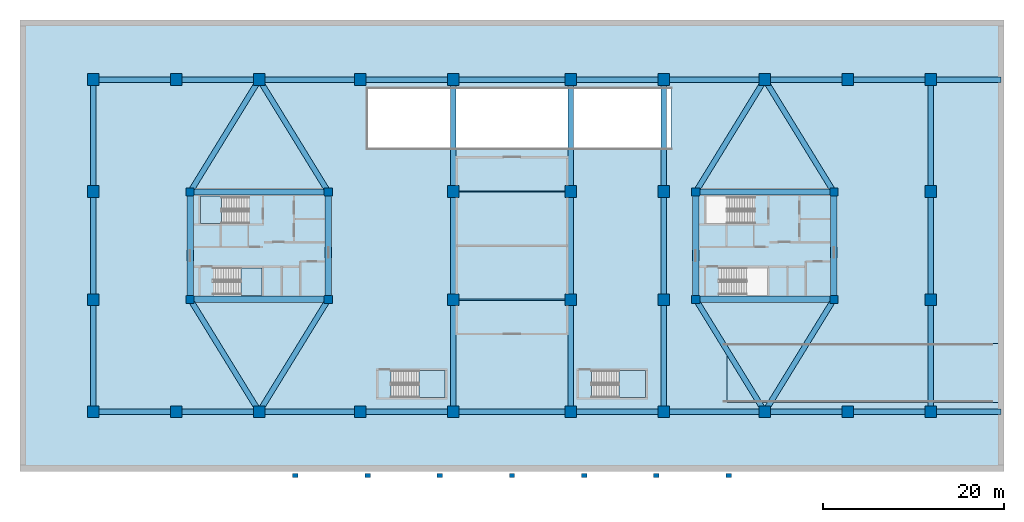
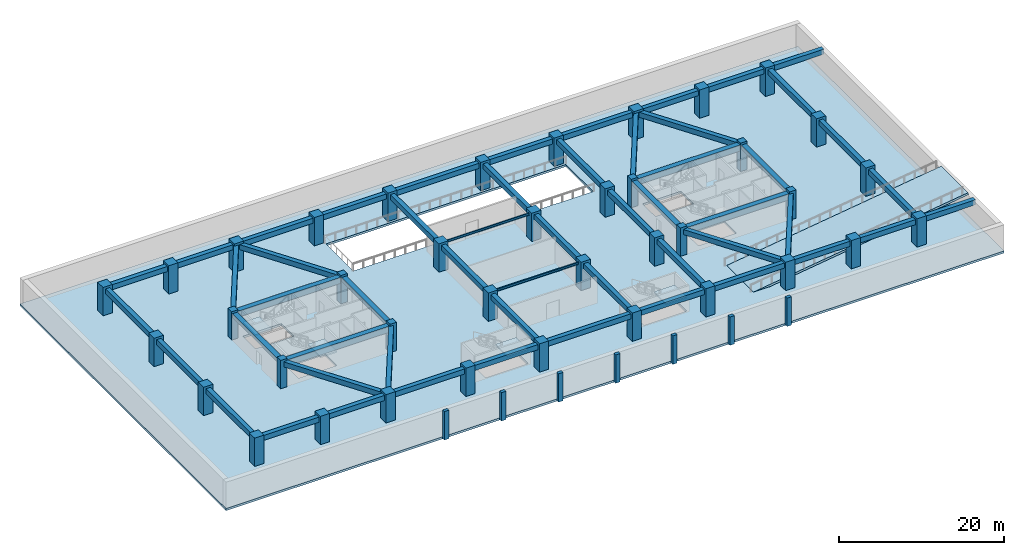
# One storey, part 1 of 14: 53 beams, 45 columns, 6 slabs, 4 elements without a shape of their own.
"""IFC4 building model written with IfcOpenShell, lengths in metres."""

import ifcopenshell
import ifcopenshell.guid

model = None  # the IFC model being written
_history = None  # IfcOwnerHistory: only IFC2X3 demands one
_inside = {}  # id of a spatial element -> (the spatial element, [elements in it])
_under = {}  # id of a project, library or spatial element -> (it, [spatial elements below it])
_declared = {}  # id of a project -> (the project, [libraries it declares])
_typed = {}  # id of a type object -> (the type object, [elements of that type])
_made_of = {}  # id of a material, layer set ... -> (it, [elements and type objects made of it])


def new_model(schema):
    """Start an empty IFC model of exactly this schema.

    Asked for "IFC4X3", IfcOpenShell would pick the latest addendum, in which some entities
    have other attributes; the version numbers below select the first issue.
    IFC2X3 requires an IfcOwnerHistory on every rooted entity: one is made here for all.
    """
    global model, _history
    if schema == "IFC4X3":
        model = ifcopenshell.file(schema_version=(4, 3, 0, 0))
    else:
        model = ifcopenshell.file(schema=schema)
    _inside.clear()
    _under.clear()
    _declared.clear()
    _typed.clear()
    _made_of.clear()
    _history = None
    if model.schema == "IFC2X3":
        org = make("IfcOrganization", Name="unknown")
        user = make(
            "IfcPersonAndOrganization",
            ThePerson=make("IfcPerson", FamilyName="unknown"),
            TheOrganization=org,
        )
        app = make(
            "IfcApplication",
            ApplicationDeveloper=org,
            Version="unknown",
            ApplicationFullName="unknown",
            ApplicationIdentifier="unknown",
        )
        _history = make(
            "IfcOwnerHistory",
            OwningUser=user,
            OwningApplication=app,
            ChangeAction="ADDED",
            CreationDate=0,
        )
    return model


def make(cls, **values):
    """One entity of the class cls with the attributes given. An attribute that is None is left unset."""
    return model.create_entity(
        cls, **{name: value for name, value in values.items() if value is not None}
    )


def rooted(cls, **values):
    """An entity with a GlobalId (a new one), such as an element, a storey or a relation."""
    return make(cls, GlobalId=ifcopenshell.guid.new(), OwnerHistory=_history, **values)


def si_unit(unit_type, name, prefix=None):
    """IfcSIUnit, for example si_unit("LENGTHUNIT", "METRE", prefix="MILLI")."""
    return make("IfcSIUnit", UnitType=unit_type, Prefix=prefix, Name=name)


def assignment(units):
    """IfcUnitAssignment: the units of a project."""
    return None if units is None else make("IfcUnitAssignment", Units=units)


def point(xyz):
    """IfcCartesianPoint."""
    return None if xyz is None else make("IfcCartesianPoint", Coordinates=xyz)


def direction(xyz):
    """IfcDirection."""
    return None if xyz is None else make("IfcDirection", DirectionRatios=xyz)


def frame(location, z_axis=None, x_axis=None):
    """IfcAxis2Placement3D, a coordinate frame: its origin and axes. An axis left out is left unset."""
    return make(
        "IfcAxis2Placement3D",
        Location=point(location),
        Axis=direction(z_axis),
        RefDirection=direction(x_axis),
    )


def frame_2d(location, x_axis=None):
    """IfcAxis2Placement2D, a coordinate frame in the plane: its origin and x axis."""
    return make(
        "IfcAxis2Placement2D", Location=point(location), RefDirection=direction(x_axis)
    )


def origin():
    """The frame at (0, 0, 0) with its axes left unset."""
    return frame((0.0, 0.0, 0.0))


def origin_2d():
    """The frame at (0, 0) in the plane with its x axis left unset."""
    return frame_2d((0.0, 0.0))


def place(relative_to, where):
    """IfcLocalPlacement: puts the frame where relative to a parent placement (None: the world)."""
    return make(
        "IfcLocalPlacement", PlacementRelTo=relative_to, RelativePlacement=where
    )


def context(
    kind, dimensions, precision=None, world=None, true_north=None, identifier=None
):
    """IfcGeometricRepresentationContext, for example the 3D "Model" context."""
    return make(
        "IfcGeometricRepresentationContext",
        ContextIdentifier=identifier,
        ContextType=kind,
        CoordinateSpaceDimension=dimensions,
        Precision=precision,
        WorldCoordinateSystem=world,
        TrueNorth=true_north,
    )


def subcontext(parent, identifier, kind, view, scale=None):
    """IfcGeometricRepresentationSubContext, for example "Body" below "Model"."""
    return make(
        "IfcGeometricRepresentationSubContext",
        ContextIdentifier=identifier,
        ContextType=kind,
        ParentContext=parent,
        TargetScale=scale,
        TargetView=view,
    )


def project(units=None, contexts=None):
    """IfcProject with its units and contexts."""
    return rooted(
        "IfcProject",
        Name="project",
        RepresentationContexts=contexts,
        UnitsInContext=assignment(units),
    )


def spatial(cls, under=None, at=None, **own):
    """A site, building, storey or space (cls), placed at a placement, below another one or the project."""
    s = rooted(cls, ObjectPlacement=at, **own)
    if under is not None:
        _under.setdefault(under.id(), (under, []))[1].append(s)
    return s


def polyline(points):
    """IfcPolyline through the points."""
    return make("IfcPolyline", Points=[point(p) for p in points])


def profile(cls, at=None, kind="AREA", **sizes):
    """A parametric profile (cls). Its sizes go by their IFC names, for example OverallWidth=200.0."""
    return make(cls, ProfileType=kind, Position=at, **sizes)


def rectangle(**sizes):
    """IfcRectangleProfileDef."""
    return profile("IfcRectangleProfileDef", **sizes)


def i_section(**sizes):
    """IfcIShapeProfileDef."""
    return profile("IfcIShapeProfileDef", **sizes)


def outline(outer, holes=None, kind="AREA"):
    """IfcArbitraryClosedProfileDef: a profile drawn as a closed curve; with holes, ...WithVoids."""
    if holes is None:
        return make("IfcArbitraryClosedProfileDef", ProfileType=kind, OuterCurve=outer)
    return make(
        "IfcArbitraryProfileDefWithVoids",
        ProfileType=kind,
        OuterCurve=outer,
        InnerCurves=holes,
    )


def extrude(swept, where, along, depth):
    """IfcExtrudedAreaSolid: the profile swept, set in the frame where, extruded along a direction by depth."""
    return make(
        "IfcExtrudedAreaSolid",
        SweptArea=swept,
        Position=where,
        ExtrudedDirection=direction(along),
        Depth=depth,
    )


def shape(context_of_items, identifier, shape_type, items):
    """IfcShapeRepresentation: the items that make up one representation, for example the "Body"."""
    return make(
        "IfcShapeRepresentation",
        ContextOfItems=context_of_items,
        RepresentationIdentifier=identifier,
        RepresentationType=shape_type,
        Items=items,
    )


def source(mapping_origin, context_of_items, identifier, shape_type, items):
    """IfcRepresentationMap: a shape defined once, which mapped items show again and again."""
    return make(
        "IfcRepresentationMap",
        MappingOrigin=mapping_origin,
        MappedRepresentation=shape(context_of_items, identifier, shape_type, items),
    )


def transform(
    local_origin,
    x_axis=None,
    y_axis=None,
    z_axis=None,
    scale=None,
    scale2=None,
    scale3=None,
    uniform=True,
):
    """IfcCartesianTransformationOperator3D, or its non-uniform kind. x_axis, y_axis, z_axis: its Axis1, 2, 3."""
    if uniform:
        return make(
            "IfcCartesianTransformationOperator3D",
            Axis1=direction(x_axis),
            Axis2=direction(y_axis),
            LocalOrigin=point(local_origin),
            Scale=scale,
            Axis3=direction(z_axis),
        )
    return make(
        "IfcCartesianTransformationOperator3DnonUniform",
        Axis1=direction(x_axis),
        Axis2=direction(y_axis),
        LocalOrigin=point(local_origin),
        Scale=scale,
        Axis3=direction(z_axis),
        Scale2=scale2,
        Scale3=scale3,
    )


def mapped(mapping_source, mapping_target):
    """IfcMappedItem: shows the shape of a source again, moved by a transform."""
    return make(
        "IfcMappedItem", MappingSource=mapping_source, MappingTarget=mapping_target
    )


def material(Name=None, Category=None):
    """IfcMaterial."""
    return make("IfcMaterial", Name=Name, Category=Category)


def layer(
    of_material, thickness, ventilated=None, Name=None, Category=None, Priority=None
):
    """IfcMaterialLayer: one layer of a wall or slab, of a material (None: an air gap)."""
    return make(
        "IfcMaterialLayer",
        Material=of_material,
        LayerThickness=thickness,
        IsVentilated=ventilated,
        Name=Name,
        Category=Category,
        Priority=Priority,
    )


def layer_set(layers, Name=None):
    """IfcMaterialLayerSet."""
    return make("IfcMaterialLayerSet", MaterialLayers=layers, LayerSetName=Name)


def material_profile(
    of_material, cross_section, Name=None, Category=None, Priority=None
):
    """IfcMaterialProfile: a cross section and its material."""
    return make(
        "IfcMaterialProfile",
        Name=Name,
        Material=of_material,
        Profile=cross_section,
        Priority=Priority,
        Category=Category,
    )


def profile_set(profiles, Name=None, composite=None):
    """IfcMaterialProfileSet."""
    return make(
        "IfcMaterialProfileSet",
        Name=Name,
        MaterialProfiles=profiles,
        CompositeProfile=composite,
    )


def made_of(thing, what):
    """Note that an element or type object is made of a material, layer set ...; save() writes the relation."""
    if what is not None:
        _made_of.setdefault(what.id(), (what, []))[1].append(thing)
    return thing


def type_object(cls, material=None, **own):
    """A type object (cls), such as IfcWallType, which elements share."""
    return made_of(rooted(cls, **own), material)


def type_shapes(of_type, sources):
    """Give a type object the sources (RepresentationMaps) that its elements show as mapped items."""
    of_type.RepresentationMaps = sources


def element(
    cls,
    number,
    at=None,
    inside=None,
    cuts=None,
    type_object=None,
    material=None,
    context=None,
    identifier="Body",
    shape_type=None,
    held_by="IfcProductDefinitionShape",
    body=None,
    shapes=None,
    **own,
):
    """One element of the class cls, such as IfcWall. Its Tag is "e" and its number.

    at: its placement. inside: the storey or other place that contains it. cuts: it is an
    opening in that element (IfcRelVoidsElement). A single representation is given by context,
    identifier, shape_type and body (its items); several are given by shapes. held_by: the class
    of the entity that holds the representations. save() writes the other relations.
    """
    e = rooted(cls, Tag="e%d" % number, ObjectPlacement=at, **own)
    if body is not None:
        shapes = [shape(context, identifier, shape_type, body)]
    if shapes is not None:
        e.Representation = make(held_by, Representations=shapes)
    if inside is not None:
        _inside.setdefault(inside.id(), (inside, []))[1].append(e)
    if cuts is not None:
        rooted(
            "IfcRelVoidsElement", RelatingBuildingElement=cuts, RelatedOpeningElement=e
        )
    if type_object is not None:
        _typed.setdefault(type_object.id(), (type_object, []))[1].append(e)
    return made_of(e, material)


def aggregate(whole, parts):
    """IfcRelAggregates: a whole, such as a stair, and the parts it consists of."""
    return rooted("IfcRelAggregates", RelatingObject=whole, RelatedObjects=parts)


def save(model, path):
    """Write the relations noted so far, then the file.

    IfcRelAggregates (storeys below a building ...), IfcRelContainedInSpatialStructure (elements
    in a storey), IfcRelDefinesByType, IfcRelAssociatesMaterial and IfcRelDeclares: one each for
    every whole, place, type object, material and project.
    """
    for whole, parts in _under.values():
        aggregate(whole, parts)
    for where, things in _inside.values():
        rooted(
            "IfcRelContainedInSpatialStructure",
            RelatedElements=things,
            RelatingStructure=where,
        )
    for kind, things in _typed.values():
        rooted("IfcRelDefinesByType", RelatedObjects=things, RelatingType=kind)
    for what, things in _made_of.values():
        rooted("IfcRelAssociatesMaterial", RelatedObjects=things, RelatingMaterial=what)
    for by, libraries in _declared.values():
        rooted("IfcRelDeclares", RelatingContext=by, RelatedDefinitions=libraries)
    model.write(path)


model = new_model("IFC4")

# Units and contexts
model_context = context("Model", 3, precision=1e-05, world=origin(), true_north=direction((0.0, 1.0)))
body_context = subcontext(model_context, "Body", "Model", "MODEL_VIEW")
ifc_project = project(units=[si_unit("LENGTHUNIT", "METRE"), si_unit("AREAUNIT", "SQUARE_METRE"), si_unit("VOLUMEUNIT", "CUBIC_METRE"), si_unit("PLANEANGLEUNIT", "RADIAN"), si_unit("MASSUNIT", "GRAM", prefix="KILO")], contexts=[model_context])

# Site, building, storey
site_placement = place(None, origin())
site = spatial("IfcSite", under=ifc_project, at=site_placement, CompositionType="ELEMENT")
building_placement = place(site_placement, origin())
building = spatial("IfcBuilding", under=site, at=building_placement, Name="Norrkilde Senior Care Towers", CompositionType="ELEMENT")
storey_placement = place(building_placement, frame((0.0, 0.0, -4.199951171875)))
storey = spatial("IfcBuildingStorey", under=building, at=storey_placement, Name="B1", CompositionType="ELEMENT", Elevation=-4.199951171875)

# Columns
ifc_material_1 = material(Name="Concrete C60/75", Category="concrete")
ifc_material_profile_1 = material_profile(ifc_material_1, rectangle(XDim=0.89990234375, YDim=0.89990234375, at=origin_2d()), Name="RC COL 900x900")
ifc_profile_set_1 = profile_set([ifc_material_profile_1], Name="Concrete C60/75")
column_type_1 = type_object("IfcColumnType", Name="Column Core Corner Z1-Z2 900", PredefinedType="COLUMN", material=ifc_profile_set_1)
shared_shape_1 = source(origin(), body_context, "Body", "SweptSolid", [
    extrude(rectangle(XDim=0.89990234375, YDim=0.89990234375, at=origin_2d()), origin(), (0.0, 0.0, 1.0), 4.199951171875),
])
type_shapes(column_type_1, [shared_shape_1])
for number, where, z_axis, x_axis, name in (
    (1, (-35.64990234375, -5.949951171875, 0.0), (0.0, 0.0, 1.0), (1.0, 0.0, 0.0), "B1 Core W Corner Column 1"),
    (2, (-20.35009765625, -5.949951171875, 0.0), (0.0, 0.0, 1.0), (1.0, 0.0, 0.0), "B1 Core W Corner Column 2"),
    (3, (-20.35009765625, 5.949951171875, 0.0), (0.0, 0.0, 1.0), (1.0, 0.0, 0.0), "B1 Core W Corner Column 3"),
    (4, (-35.64990234375, 5.949951171875, 0.0), (0.0, 0.0, 1.0), (1.0, 0.0, 0.0), "B1 Core W Corner Column 4"),
    (5, (20.35009765625, -5.949951171875, 0.0), (0.0, 0.0, 1.0), (1.0, 0.0, 0.0), "B1 Core E Corner Column 1"),
    (6, (35.64990234375, -5.949951171875, 0.0), (0.0, 0.0, 1.0), (1.0, 0.0, 0.0), "B1 Core E Corner Column 2"),
    (7, (35.64990234375, 5.949951171875, 0.0), (0.0, 0.0, 1.0), (1.0, 0.0, 0.0), "B1 Core E Corner Column 3"),
    (8, (20.35009765625, 5.949951171875, 0.0), (0.0, 0.0, 1.0), (1.0, 0.0, 0.0), "B1 Core E Corner Column 4"),
):
    element("IfcColumn", number, at=place(storey_placement, frame(where, z_axis=z_axis, x_axis=x_axis)), inside=storey, type_object=column_type_1, Name=name, PredefinedType="COLUMN", context=body_context, shape_type="MappedRepresentation", body=[
        mapped(shared_shape_1, transform((0.0, 0.0, 0.0), x_axis=(1.0, 0.0, 0.0), y_axis=(0.0, 1.0, 0.0), z_axis=(0.0, 0.0, 1.0), scale=1.0)),
    ])
ifc_material_profile_2 = material_profile(ifc_material_1, rectangle(XDim=1.300048828125, YDim=1.300048828125, at=origin_2d()), Name="RC COL 1300x1300")
ifc_profile_set_2 = profile_set([ifc_material_profile_2], Name="Concrete C60/75")
column_type_2 = type_object("IfcColumnType", Name="Column Mega Podium 1300", PredefinedType="COLUMN", material=ifc_profile_set_2)
shared_shape_2 = source(origin(), body_context, "Body", "SweptSolid", [
    extrude(rectangle(XDim=1.300048828125, YDim=1.300048828125, at=origin_2d()), origin(), (0.0, 0.0, 1.0), 4.199951171875),
])
type_shapes(column_type_2, [shared_shape_2])
for number, where, z_axis, x_axis, name in (
    (9, (-46.39990234375, -18.39990234375, 0.0), (0.0, 0.0, 1.0), (1.0, 0.0, 0.0), "B1 Podium Mega Column 01"),
    (10, (-37.199951171875, -18.39990234375, 0.0), (0.0, 0.0, 1.0), (1.0, 0.0, 0.0), "B1 Podium Mega Column 02"),
    (11, (-28.0, -18.39990234375, 0.0), (0.0, 0.0, 1.0), (1.0, 0.0, 0.0), "B1 Podium Mega Column 03"),
    (12, (-16.800048828125, -18.39990234375, 0.0), (0.0, 0.0, 1.0), (1.0, 0.0, 0.0), "B1 Podium Mega Column 04"),
    (13, (-6.5, -18.39990234375, 0.0), (0.0, 0.0, 1.0), (1.0, 0.0, 0.0), "B1 Podium Mega Column 05"),
    (14, (6.5, -18.39990234375, 0.0), (0.0, 0.0, 1.0), (1.0, 0.0, 0.0), "B1 Podium Mega Column 06"),
    (15, (16.800048828125, -18.39990234375, 0.0), (0.0, 0.0, 1.0), (1.0, 0.0, 0.0), "B1 Podium Mega Column 07"),
    (16, (28.0, -18.39990234375, 0.0), (0.0, 0.0, 1.0), (1.0, 0.0, 0.0), "B1 Podium Mega Column 08"),
    (17, (37.199951171875, -18.39990234375, 0.0), (0.0, 0.0, 1.0), (1.0, 0.0, 0.0), "B1 Podium Mega Column 09"),
    (18, (46.39990234375, -18.39990234375, 0.0), (0.0, 0.0, 1.0), (1.0, 0.0, 0.0), "B1 Podium Mega Column 10"),
    (19, (-46.39990234375, 18.39990234375, 0.0), (0.0, 0.0, 1.0), (1.0, 0.0, 0.0), "B1 Podium Mega Column 11"),
    (20, (-37.199951171875, 18.39990234375, 0.0), (0.0, 0.0, 1.0), (1.0, 0.0, 0.0), "B1 Podium Mega Column 12"),
    (21, (-28.0, 18.39990234375, 0.0), (0.0, 0.0, 1.0), (1.0, 0.0, 0.0), "B1 Podium Mega Column 13"),
    (22, (-16.800048828125, 18.39990234375, 0.0), (0.0, 0.0, 1.0), (1.0, 0.0, 0.0), "B1 Podium Mega Column 14"),
    (23, (-6.5, 18.39990234375, 0.0), (0.0, 0.0, 1.0), (1.0, 0.0, 0.0), "B1 Podium Mega Column 15"),
    (24, (6.5, 18.39990234375, 0.0), (0.0, 0.0, 1.0), (1.0, 0.0, 0.0), "B1 Podium Mega Column 16"),
    (25, (16.800048828125, 18.39990234375, 0.0), (0.0, 0.0, 1.0), (1.0, 0.0, 0.0), "B1 Podium Mega Column 17"),
    (26, (28.0, 18.39990234375, 0.0), (0.0, 0.0, 1.0), (1.0, 0.0, 0.0), "B1 Podium Mega Column 18"),
    (27, (37.199951171875, 18.39990234375, 0.0), (0.0, 0.0, 1.0), (1.0, 0.0, 0.0), "B1 Podium Mega Column 19"),
    (28, (46.39990234375, 18.39990234375, 0.0), (0.0, 0.0, 1.0), (1.0, 0.0, 0.0), "B1 Podium Mega Column 20"),
    (29, (-46.39990234375, -6.0, 0.0), (0.0, 0.0, 1.0), (1.0, 0.0, 0.0), "B1 Podium Mega Column 21"),
    (30, (-46.39990234375, 6.0, 0.0), (0.0, 0.0, 1.0), (1.0, 0.0, 0.0), "B1 Podium Mega Column 22"),
    (31, (-6.5, -6.0, 0.0), (0.0, 0.0, 1.0), (1.0, 0.0, 0.0), "B1 Podium Mega Column 23"),
    (32, (-6.5, 6.0, 0.0), (0.0, 0.0, 1.0), (1.0, 0.0, 0.0), "B1 Podium Mega Column 24"),
    (33, (6.5, -6.0, 0.0), (0.0, 0.0, 1.0), (1.0, 0.0, 0.0), "B1 Podium Mega Column 25"),
    (34, (6.5, 6.0, 0.0), (0.0, 0.0, 1.0), (1.0, 0.0, 0.0), "B1 Podium Mega Column 26"),
    (35, (16.800048828125, -6.0, 0.0), (0.0, 0.0, 1.0), (1.0, 0.0, 0.0), "B1 Podium Mega Column 27"),
    (36, (16.800048828125, 6.0, 0.0), (0.0, 0.0, 1.0), (1.0, 0.0, 0.0), "B1 Podium Mega Column 28"),
    (37, (46.39990234375, -6.0, 0.0), (0.0, 0.0, 1.0), (1.0, 0.0, 0.0), "B1 Podium Mega Column 29"),
    (38, (46.39990234375, 6.0, 0.0), (0.0, 0.0, 1.0), (1.0, 0.0, 0.0), "B1 Podium Mega Column 30"),
):
    element("IfcColumn", number, at=place(storey_placement, frame(where, z_axis=z_axis, x_axis=x_axis)), inside=storey, type_object=column_type_2, Name=name, PredefinedType="COLUMN", context=body_context, shape_type="MappedRepresentation", body=[
        mapped(shared_shape_2, transform((0.0, 0.0, 0.0), x_axis=(1.0, 0.0, 0.0), y_axis=(0.0, 1.0, 0.0), z_axis=(0.0, 0.0, 1.0), scale=1.0)),
    ])
ifc_material_2 = material(Name="Precast concrete C45/55", Category="concrete")
ifc_material_profile_3 = material_profile(ifc_material_2, rectangle(XDim=0.60009765625, YDim=0.449951171875, at=origin_2d()), Name="RC PIL 600x450")
ifc_profile_set_3 = profile_set([ifc_material_profile_3], Name="Precast concrete C45/55")
column_type_3 = type_object("IfcColumnType", Name="Pilaster Entrance Colonnade", PredefinedType="PILASTER", material=ifc_profile_set_3)
shared_shape_3 = source(origin(), body_context, "Body", "SweptSolid", [
    extrude(rectangle(XDim=0.60009765625, YDim=0.449951171875, at=origin_2d()), origin(), (0.0, 0.0, 1.0), 4.199951171875),
])
type_shapes(column_type_3, [shared_shape_3])
for number, where, z_axis, x_axis, name in (
    (39, (-24.0, -25.47998046875, 0.0), (0.0, 0.0, 1.0), (1.0, 0.0, 0.0), "B1 Entrance Colonnade Pilaster 1"),
    (40, (-16.0, -25.47998046875, 0.0), (0.0, 0.0, 1.0), (1.0, 0.0, 0.0), "B1 Entrance Colonnade Pilaster 2"),
    (41, (-8.0, -25.47998046875, 0.0), (0.0, 0.0, 1.0), (1.0, 0.0, 0.0), "B1 Entrance Colonnade Pilaster 3"),
    (42, (0.0, -25.47998046875, 0.0), (0.0, 0.0, 1.0), (1.0, 0.0, 0.0), "B1 Entrance Colonnade Pilaster 4"),
    (43, (8.0, -25.47998046875, 0.0), (0.0, 0.0, 1.0), (1.0, 0.0, 0.0), "B1 Entrance Colonnade Pilaster 5"),
    (44, (16.0, -25.47998046875, 0.0), (0.0, 0.0, 1.0), (1.0, 0.0, 0.0), "B1 Entrance Colonnade Pilaster 6"),
    (45, (24.0, -25.47998046875, 0.0), (0.0, 0.0, 1.0), (1.0, 0.0, 0.0), "B1 Entrance Colonnade Pilaster 7"),
):
    element("IfcColumn", number, at=place(storey_placement, frame(where, z_axis=z_axis, x_axis=x_axis)), inside=storey, type_object=column_type_3, Name=name, PredefinedType="PILASTER", context=body_context, shape_type="MappedRepresentation", body=[
        mapped(shared_shape_3, transform((0.0, 0.0, 0.0), x_axis=(1.0, 0.0, 0.0), y_axis=(0.0, 1.0, 0.0), z_axis=(0.0, 0.0, 1.0), scale=1.0)),
    ])

# Beams
ifc_material_profile_4 = material_profile(ifc_material_1, rectangle(XDim=0.699951171875, YDim=0.89990234375, at=origin_2d()), Name="RC BM 700x900")
ifc_profile_set_4 = profile_set([ifc_material_profile_4], Name="Concrete C60/75")
beam_type_1 = type_object("IfcBeamType", Name="Core Coupling Girder 700x900", PredefinedType="USERDEFINED", material=ifc_profile_set_4)
shared_shape_4 = source(origin(), body_context, "Body", "SweptSolid", [
    extrude(rectangle(XDim=0.699951171875, YDim=0.89990234375, at=origin_2d()), origin(), (0.0, 0.0, 1.0), 14.43994140625),
])
type_shapes(beam_type_1, [shared_shape_4])
for number, where, z_axis, x_axis, name in (
    (46, (-35.219970703125, 5.949951171875, 3.429931640625), (1.0, 0.0, 0.0), (0.0, 1.0, 0.0), "B1 Core W N Coupling Girder"),
    (47, (-35.219970703125, -5.949951171875, 3.429931640625), (1.0, 0.0, 0.0), (0.0, 1.0, 0.0), "B1 Core W S Coupling Girder"),
    (48, (20.780029296875, 5.949951171875, 3.429931640625), (1.0, 0.0, 0.0), (0.0, 1.0, 0.0), "B1 Core E N Coupling Girder"),
    (49, (20.780029296875, -5.949951171875, 3.429931640625), (1.0, 0.0, 0.0), (0.0, 1.0, 0.0), "B1 Core E S Coupling Girder"),
):
    element("IfcBeam", number, at=place(storey_placement, frame(where, z_axis=z_axis, x_axis=x_axis)), inside=storey, type_object=beam_type_1, Name=name, ObjectType="GIRDER", PredefinedType="USERDEFINED", context=body_context, shape_type="MappedRepresentation", body=[
        mapped(shared_shape_4, transform((0.0, 0.0, 0.0), x_axis=(1.0, 0.0, 0.0), y_axis=(0.0, 1.0, 0.0), z_axis=(0.0, 0.0, 1.0), scale=1.0)),
    ])
ifc_material_profile_5 = material_profile(ifc_material_1, rectangle(XDim=0.699951171875, YDim=0.550048828125, at=origin_2d()), Name="RC BM 700x550")
ifc_profile_set_5 = profile_set([ifc_material_profile_5], Name="Concrete C60/75")
beam_type_2 = type_object("IfcBeamType", Name="Core Portal Coupling Beam 700x550", PredefinedType="USERDEFINED", material=ifc_profile_set_5)
shared_shape_5 = source(origin(), body_context, "Body", "SweptSolid", [
    extrude(rectangle(XDim=0.699951171875, YDim=0.550048828125, at=origin_2d()), origin(), (0.0, 0.0, 1.0), 11.0400390625),
])
type_shapes(beam_type_2, [shared_shape_5])
for number, where, z_axis, x_axis, name in (
    (50, (-35.64990234375, -5.52001953125, 3.60498046875), (0.0, 1.0, 0.0), (-1.0, 0.0, 0.0), "B1 Core W W Coupling Girder"),
    (51, (-20.35009765625, -5.52001953125, 3.60498046875), (0.0, 1.0, 0.0), (-1.0, 0.0, 0.0), "B1 Core W E Coupling Girder"),
    (52, (20.35009765625, -5.52001953125, 3.60498046875), (0.0, 1.0, 0.0), (-1.0, 0.0, 0.0), "B1 Core E W Coupling Girder"),
    (53, (35.64990234375, -5.52001953125, 3.60498046875), (0.0, 1.0, 0.0), (-1.0, 0.0, 0.0), "B1 Core E E Coupling Girder"),
):
    element("IfcBeam", number, at=place(storey_placement, frame(where, z_axis=z_axis, x_axis=x_axis)), inside=storey, type_object=beam_type_2, Name=name, ObjectType="GIRDER", PredefinedType="USERDEFINED", context=body_context, shape_type="MappedRepresentation", body=[
        mapped(shared_shape_5, transform((0.0, 0.0, 0.0), x_axis=(1.0, 0.0, 0.0), y_axis=(0.0, 1.0, 0.0), z_axis=(0.0, 0.0, 1.0), scale=1.0)),
    ])
ifc_material_3 = material(Name="Concrete C50/60", Category="concrete")
ifc_material_profile_6 = material_profile(ifc_material_3, rectangle(XDim=0.60009765625, YDim=0.75, at=origin_2d()), Name="RC BM 600x750")
ifc_profile_set_6 = profile_set([ifc_material_profile_6], Name="Concrete C50/60")
beam_type_3 = type_object("IfcBeamType", Name="Basement Frame Girder 600x750", PredefinedType="USERDEFINED", material=ifc_profile_set_6)
shared_shape_6 = source(origin(), body_context, "Body", "SweptSolid", [
    extrude(rectangle(XDim=0.60009765625, YDim=0.75, at=origin_2d()), origin(), (0.0, 0.0, 1.0), 8.300048828125),
])
for number, where, z_axis, x_axis, name in (
    (54, (-45.949951171875, -18.39990234375, 3.5048828125), (1.0, 0.0, 0.0), (0.0, 1.0, 0.0), "B1 Podium E-W Frame Beam 1.1"),
    (55, (-36.75, -18.39990234375, 3.5048828125), (1.0, 0.0, 0.0), (0.0, 1.0, 0.0), "B1 Podium E-W Frame Beam 1.2"),
    (56, (28.449951171875, -18.39990234375, 3.5048828125), (1.0, 0.0, 0.0), (0.0, 1.0, 0.0), "B1 Podium E-W Frame Beam 1.8"),
    (57, (37.64990234375, -18.39990234375, 3.5048828125), (1.0, 0.0, 0.0), (0.0, 1.0, 0.0), "B1 Podium E-W Frame Beam 1.9"),
    (58, (-45.949951171875, 18.39990234375, 3.5048828125), (1.0, 0.0, 0.0), (0.0, 1.0, 0.0), "B1 Podium E-W Frame Beam 2.1"),
    (59, (-36.75, 18.39990234375, 3.5048828125), (1.0, 0.0, 0.0), (0.0, 1.0, 0.0), "B1 Podium E-W Frame Beam 2.2"),
    (60, (28.449951171875, 18.39990234375, 3.5048828125), (1.0, 0.0, 0.0), (0.0, 1.0, 0.0), "B1 Podium E-W Frame Beam 2.8"),
    (61, (37.64990234375, 18.39990234375, 3.5048828125), (1.0, 0.0, 0.0), (0.0, 1.0, 0.0), "B1 Podium E-W Frame Beam 2.9"),
):
    element("IfcBeam", number, at=place(storey_placement, frame(where, z_axis=z_axis, x_axis=x_axis)), inside=storey, type_object=beam_type_3, Name=name, ObjectType="GIRDER", PredefinedType="USERDEFINED", context=body_context, shape_type="MappedRepresentation", body=[
        mapped(shared_shape_6, transform((0.0, 0.0, 0.0), x_axis=(1.0, 0.0, 0.0), y_axis=(0.0, 1.0, 0.0), z_axis=(0.0, 0.0, 1.0), scale=1.0)),
    ])
shared_shape_7 = source(origin(), body_context, "Body", "SweptSolid", [
    extrude(rectangle(XDim=0.60009765625, YDim=0.75, at=origin_2d()), origin(), (0.0, 0.0, 1.0), 10.300048828125),
])
for number, where, z_axis, x_axis, name in (
    (62, (-27.550048828125, -18.39990234375, 3.5048828125), (1.0, 0.0, 0.0), (0.0, 1.0, 0.0), "B1 Podium E-W Frame Beam 1.3"),
    (63, (17.25, -18.39990234375, 3.5048828125), (1.0, 0.0, 0.0), (0.0, 1.0, 0.0), "B1 Podium E-W Frame Beam 1.7"),
    (64, (-27.550048828125, 18.39990234375, 3.5048828125), (1.0, 0.0, 0.0), (0.0, 1.0, 0.0), "B1 Podium E-W Frame Beam 2.3"),
    (65, (17.25, 18.39990234375, 3.5048828125), (1.0, 0.0, 0.0), (0.0, 1.0, 0.0), "B1 Podium E-W Frame Beam 2.7"),
):
    element("IfcBeam", number, at=place(storey_placement, frame(where, z_axis=z_axis, x_axis=x_axis)), inside=storey, type_object=beam_type_3, Name=name, ObjectType="GIRDER", PredefinedType="USERDEFINED", context=body_context, shape_type="MappedRepresentation", body=[
        mapped(shared_shape_7, transform((0.0, 0.0, 0.0), x_axis=(1.0, 0.0, 0.0), y_axis=(0.0, 1.0, 0.0), z_axis=(0.0, 0.0, 1.0), scale=1.0)),
    ])
shared_shape_8 = source(origin(), body_context, "Body", "SweptSolid", [
    extrude(rectangle(XDim=0.60009765625, YDim=0.75, at=origin_2d()), origin(), (0.0, 0.0, 1.0), 9.400146484375),
])
for number, where, z_axis, x_axis, name in (
    (66, (-16.35009765625, -18.39990234375, 3.5048828125), (1.0, 0.0, 0.0), (0.0, 1.0, 0.0), "B1 Podium E-W Frame Beam 1.4"),
    (67, (6.949951171875, -18.39990234375, 3.5048828125), (1.0, 0.0, 0.0), (0.0, 1.0, 0.0), "B1 Podium E-W Frame Beam 1.6"),
    (68, (-16.35009765625, 18.39990234375, 3.5048828125), (1.0, 0.0, 0.0), (0.0, 1.0, 0.0), "B1 Podium E-W Frame Beam 2.4"),
    (69, (6.949951171875, 18.39990234375, 3.5048828125), (1.0, 0.0, 0.0), (0.0, 1.0, 0.0), "B1 Podium E-W Frame Beam 2.6"),
):
    element("IfcBeam", number, at=place(storey_placement, frame(where, z_axis=z_axis, x_axis=x_axis)), inside=storey, type_object=beam_type_3, Name=name, ObjectType="GIRDER", PredefinedType="USERDEFINED", context=body_context, shape_type="MappedRepresentation", body=[
        mapped(shared_shape_8, transform((0.0, 0.0, 0.0), x_axis=(1.0, 0.0, 0.0), y_axis=(0.0, 1.0, 0.0), z_axis=(0.0, 0.0, 1.0), scale=1.0)),
    ])
shared_shape_9 = source(origin(), body_context, "Body", "SweptSolid", [
    extrude(rectangle(XDim=0.60009765625, YDim=0.75, at=origin_2d()), origin(), (0.0, 0.0, 1.0), 12.10009765625),
])
for number, where, z_axis, x_axis, name in (
    (70, (-6.050048828125, -18.39990234375, 3.5048828125), (1.0, 0.0, 0.0), (0.0, 1.0, 0.0), "B1 Podium E-W Frame Beam 1.5"),
    (71, (-6.050048828125, 18.39990234375, 3.5048828125), (1.0, 0.0, 0.0), (0.0, 1.0, 0.0), "B1 Podium E-W Frame Beam 2.5"),
):
    element("IfcBeam", number, at=place(storey_placement, frame(where, z_axis=z_axis, x_axis=x_axis)), inside=storey, type_object=beam_type_3, Name=name, ObjectType="GIRDER", PredefinedType="USERDEFINED", context=body_context, shape_type="MappedRepresentation", body=[
        mapped(shared_shape_9, transform((0.0, 0.0, 0.0), x_axis=(1.0, 0.0, 0.0), y_axis=(0.0, 1.0, 0.0), z_axis=(0.0, 0.0, 1.0), scale=1.0)),
    ])
shared_shape_10 = source(origin(), body_context, "Body", "SweptSolid", [
    extrude(rectangle(XDim=0.60009765625, YDim=0.75, at=origin_2d()), origin(), (0.0, 0.0, 1.0), 11.5),
])
for number, where, z_axis, x_axis, name in (
    (72, (-46.39990234375, -17.949951171875, 3.5048828125), (0.0, 1.0, 0.0), (-1.0, 0.0, 0.0), "B1 Podium N-S Frame Beam 1.1"),
    (73, (-46.39990234375, 6.449951171875, 3.5048828125), (0.0, 1.0, 0.0), (-1.0, 0.0, 0.0), "B1 Podium N-S Frame Beam 1.3"),
    (74, (-6.5, -17.949951171875, 3.5048828125), (0.0, 1.0, 0.0), (-1.0, 0.0, 0.0), "B1 Podium N-S Frame Beam 2.1"),
    (75, (-6.5, 6.449951171875, 3.5048828125), (0.0, 1.0, 0.0), (-1.0, 0.0, 0.0), "B1 Podium N-S Frame Beam 2.3"),
    (76, (6.5, -17.949951171875, 3.5048828125), (0.0, 1.0, 0.0), (-1.0, 0.0, 0.0), "B1 Podium N-S Frame Beam 3.1"),
    (77, (6.5, 6.449951171875, 3.5048828125), (0.0, 1.0, 0.0), (-1.0, 0.0, 0.0), "B1 Podium N-S Frame Beam 3.3"),
    (78, (16.800048828125, -17.949951171875, 3.5048828125), (0.0, 1.0, 0.0), (-1.0, 0.0, 0.0), "B1 Podium N-S Frame Beam 4.1"),
    (79, (16.800048828125, 6.449951171875, 3.5048828125), (0.0, 1.0, 0.0), (-1.0, 0.0, 0.0), "B1 Podium N-S Frame Beam 4.3"),
    (80, (46.39990234375, -17.949951171875, 3.5048828125), (0.0, 1.0, 0.0), (-1.0, 0.0, 0.0), "B1 Podium N-S Frame Beam 5.1"),
    (81, (46.39990234375, 6.449951171875, 3.5048828125), (0.0, 1.0, 0.0), (-1.0, 0.0, 0.0), "B1 Podium N-S Frame Beam 5.3"),
):
    element("IfcBeam", number, at=place(storey_placement, frame(where, z_axis=z_axis, x_axis=x_axis)), inside=storey, type_object=beam_type_3, Name=name, ObjectType="GIRDER", PredefinedType="USERDEFINED", context=body_context, shape_type="MappedRepresentation", body=[
        mapped(shared_shape_10, transform((0.0, 0.0, 0.0), x_axis=(1.0, 0.0, 0.0), y_axis=(0.0, 1.0, 0.0), z_axis=(0.0, 0.0, 1.0), scale=1.0)),
    ])
shared_shape_11 = source(origin(), body_context, "Body", "SweptSolid", [
    extrude(rectangle(XDim=0.60009765625, YDim=0.75, at=origin_2d()), origin(), (0.0, 0.0, 1.0), 11.10009765625),
])
for number, where, z_axis, x_axis, name in (
    (82, (-46.39990234375, -5.550048828125, 3.5048828125), (0.0, 1.0, 0.0), (-1.0, 0.0, 0.0), "B1 Podium N-S Frame Beam 1.2"),
    (83, (-6.5, -5.550048828125, 3.5048828125), (0.0, 1.0, 0.0), (-1.0, 0.0, 0.0), "B1 Podium N-S Frame Beam 2.2"),
    (84, (6.5, -5.550048828125, 3.5048828125), (0.0, 1.0, 0.0), (-1.0, 0.0, 0.0), "B1 Podium N-S Frame Beam 3.2"),
    (85, (16.800048828125, -5.550048828125, 3.5048828125), (0.0, 1.0, 0.0), (-1.0, 0.0, 0.0), "B1 Podium N-S Frame Beam 4.2"),
    (86, (46.39990234375, -5.550048828125, 3.5048828125), (0.0, 1.0, 0.0), (-1.0, 0.0, 0.0), "B1 Podium N-S Frame Beam 5.2"),
):
    element("IfcBeam", number, at=place(storey_placement, frame(where, z_axis=z_axis, x_axis=x_axis)), inside=storey, type_object=beam_type_3, Name=name, ObjectType="GIRDER", PredefinedType="USERDEFINED", context=body_context, shape_type="MappedRepresentation", body=[
        mapped(shared_shape_11, transform((0.0, 0.0, 0.0), x_axis=(1.0, 0.0, 0.0), y_axis=(0.0, 1.0, 0.0), z_axis=(0.0, 0.0, 1.0), scale=1.0)),
    ])
shared_shape_12 = source(origin(), body_context, "Body", "SweptSolid", [
    extrude(rectangle(XDim=0.60009765625, YDim=0.75, at=origin_2d()), origin(), (0.0, 0.0, 1.0), 13.742431640625),
])
for number, where, z_axis, x_axis, name in (
    (87, (-28.235595703125, -18.0166015625, 3.5048828125), (-0.523527368138, 0.852008858411, 0.0), (-0.852008858411, -0.523527368138, 0.0), "B1 Core W Tie Beam 1"),
    (88, (-27.764404296875, -18.0166015625, 3.5048828125), (0.523527368138, 0.852008858411, 0.0), (-0.852008858411, 0.523527368138, 0.0), "B1 Core W Tie Beam 2"),
    (89, (-28.235595703125, 18.0166015625, 3.5048828125), (-0.523527368138, -0.852008858411, 0.0), (0.852008858411, -0.523527368138, 0.0), "B1 Core W Tie Beam 3"),
    (90, (-27.764404296875, 18.0166015625, 3.5048828125), (0.523527368138, -0.852008858411, 0.0), (0.852008858411, 0.523527368138, 0.0), "B1 Core W Tie Beam 4"),
    (91, (27.764404296875, -18.0166015625, 3.5048828125), (-0.523527368138, 0.852008858411, 0.0), (-0.852008858411, -0.523527368138, 0.0), "B1 Core E Tie Beam 1"),
    (92, (28.235595703125, -18.0166015625, 3.5048828125), (0.523527368138, 0.852008858411, 0.0), (-0.852008858411, 0.523527368138, 0.0), "B1 Core E Tie Beam 2"),
    (93, (27.764404296875, 18.0166015625, 3.5048828125), (-0.523527368138, -0.852008858411, 0.0), (0.852008858411, -0.523527368138, 0.0), "B1 Core E Tie Beam 3"),
    (94, (28.235595703125, 18.0166015625, 3.5048828125), (0.523527368138, -0.852008858411, 0.0), (0.852008858411, 0.523527368138, 0.0), "B1 Core E Tie Beam 4"),
):
    element("IfcBeam", number, at=place(storey_placement, frame(where, z_axis=z_axis, x_axis=x_axis)), inside=storey, type_object=beam_type_3, Name=name, ObjectType="GIRDER", PredefinedType="USERDEFINED", context=body_context, shape_type="MappedRepresentation", body=[
        mapped(shared_shape_12, transform((0.0, 0.0, 0.0), x_axis=(1.0, 0.0, 0.0), y_axis=(0.0, 1.0, 0.0), z_axis=(0.0, 0.0, 1.0), scale=1.0)),
    ])
ifc_material_4 = material(Name="Steel S355", Category="steel")
ifc_material_profile_7 = material_profile(ifc_material_4, i_section(OverallWidth=0.159912109375, OverallDepth=0.330078125, WebThickness=0.007568359375, FlangeThickness=0.011474609375, FilletRadius=0.01806640625, at=origin_2d()), Name="IPE 330")
ifc_profile_set_7 = profile_set([ifc_material_profile_7], Name="Steel S355")
beam_type_4 = type_object("IfcBeamType", Name="Podium Deck Joist IPE330", PredefinedType="JOIST", material=ifc_profile_set_7)
shared_shape_13 = source(origin(), body_context, "Body", "SweptSolid", [
    extrude(i_section(OverallWidth=0.159912109375, OverallDepth=0.330078125, WebThickness=0.007568359375, FlangeThickness=0.011474609375, FilletRadius=0.01806640625, at=origin_2d()), origin(), (0.0, 0.0, 1.0), 12.0),
])
type_shapes(beam_type_4, [shared_shape_13])
for number, where, z_axis, x_axis, name in (
    (95, (-6.0, -6.0, 3.71484375), (1.0, 0.0, 0.0), (0.0, 1.0, 0.0), "B1 Podium Central Span Beam 1"),
    (96, (-6.0, 6.0, 3.71484375), (1.0, 0.0, 0.0), (0.0, 1.0, 0.0), "B1 Podium Central Span Beam 2"),
):
    element("IfcBeam", number, at=place(storey_placement, frame(where, z_axis=z_axis, x_axis=x_axis)), inside=storey, type_object=beam_type_4, Name=name, PredefinedType="JOIST", context=body_context, shape_type="MappedRepresentation", body=[
        mapped(shared_shape_13, transform((0.0, 0.0, 0.0), x_axis=(1.0, 0.0, 0.0), y_axis=(0.0, 1.0, 0.0), z_axis=(0.0, 0.0, 1.0), scale=1.0)),
    ])
shared_shape_14 = source(origin(), body_context, "Body", "SweptSolid", [
    extrude(rectangle(XDim=0.60009765625, YDim=0.75, at=origin_2d()), origin(), (0.0, 0.0, 1.0), 7.760009765625),
])
type_shapes(beam_type_3, [shared_shape_6, shared_shape_7, shared_shape_8, shared_shape_9, shared_shape_10, shared_shape_11, shared_shape_12, shared_shape_14])
for number, where, z_axis, x_axis, name in (
    (97, (46.39990234375, -18.39990234375, 3.5048828125), (1.0, 0.0, 0.0), (0.0, 1.0, 0.0), "B1 Vehicle Ramp East Tie Girder S"),
    (98, (46.39990234375, 18.39990234375, 3.5048828125), (1.0, 0.0, 0.0), (0.0, 1.0, 0.0), "B1 Vehicle Ramp East Tie Girder N"),
):
    element("IfcBeam", number, at=place(storey_placement, frame(where, z_axis=z_axis, x_axis=x_axis)), inside=storey, type_object=beam_type_3, Name=name, ObjectType="GIRDER", PredefinedType="USERDEFINED", context=body_context, shape_type="MappedRepresentation", body=[
        mapped(shared_shape_14, transform((0.0, 0.0, 0.0), x_axis=(1.0, 0.0, 0.0), y_axis=(0.0, 1.0, 0.0), z_axis=(0.0, 0.0, 1.0), scale=1.0)),
    ])

# Slabs
ifc_layer_1 = layer(ifc_material_3, 0.320068359375)
ifc_layer_set_1 = layer_set([ifc_layer_1], Name="Concrete C50/60")
slab_type_1 = type_object("IfcSlabType", Name="Basement Vehicle Ramp Structural Slab 320", PredefinedType="FLOOR", material=ifc_layer_set_1)
slab_1_placement = place(storey_placement, frame((23.81005859375, -17.35009765625, 0.0), z_axis=(-0.138285332693, 0.0, 0.990392430687), x_axis=(0.990392430687, 0.0, 0.138285332693)))
element("IfcSlab", 99, at=slab_1_placement, inside=storey, type_object=slab_type_1, Name="Car park vehicle ramp R1 structural slab B1 to L00", PredefinedType="FLOOR", context=body_context, shape_type="SweptSolid", body=[
    extrude(outline(polyline([(0.0, 0.0), (30.371631539541887, 0.0), (30.371631539541887, 6.5), (0.0, 6.5), (0.0, 0.0)])), origin(), (0.0, 0.0, -1.0), 0.320068359375),
])
ifc_layer_2 = layer(ifc_material_3, 0.320068359375)
ifc_layer_set_2 = layer_set([ifc_layer_2], Name="Concrete C50/60")
slab_type_2 = type_object("IfcSlabType", Name="Podium Clinic Floor Slab 320", PredefinedType="FLOOR", material=ifc_layer_set_2)
slab_2_placement = place(storey_placement, frame((0.0, 0.0, -0.320068359375)))
element("IfcSlab", 100, at=slab_2_placement, inside=storey, type_object=slab_type_2, Name="B1 Structural Podium Slab", PredefinedType="FLOOR", context=body_context, shape_type="SweptSolid", body=[
    extrude(outline(polyline([(54.5, -25.0), (-54.5, -25.0), (-54.5, 25.0), (54.5, 25.0), (54.5, -25.0)]), holes=[polyline([(-29.117919921875, 5.52490234375), (-34.48193359375, 5.52490234375), (-34.48193359375, 2.468017578125), (-29.117919921875, 2.468017578125), (-29.117919921875, 5.52490234375)]), polyline([(-33.08203125, -2.468017578125), (-33.08203125, -5.52490234375), (-27.718017578125, -5.52490234375), (-27.718017578125, -2.468017578125), (-33.08203125, -2.468017578125)]), polyline([(21.51806640625, 2.468017578125), (26.882080078125, 2.468017578125), (26.882080078125, 5.52490234375), (21.51806640625, 5.52490234375), (21.51806640625, 2.468017578125)]), polyline([(28.281982421875, -5.52490234375), (28.281982421875, -2.468017578125), (22.91796875, -2.468017578125), (22.91796875, -5.52490234375), (28.281982421875, -5.52490234375)]), polyline([(-13.382080078125, -16.781982421875), (-7.41796875, -16.781982421875), (-7.41796875, -13.867919921875), (-13.382080078125, -13.867919921875), (-13.382080078125, -16.781982421875)]), polyline([(8.818115234375, -13.867919921875), (8.818115234375, -16.781982421875), (14.781982421875, -16.781982421875), (14.781982421875, -13.867919921875), (8.818115234375, -13.867919921875)]), polyline([(17.60009765625, 17.39990234375), (-16.0, 17.39990234375), (-16.0, 10.800048828125), (17.60009765625, 10.800048828125), (17.60009765625, 17.39990234375)]), polyline([(26.139892578125, -10.840087890625), (23.800048828125, -10.840087890625), (23.800048828125, -17.360107421875), (26.139892578125, -17.360107421875), (26.139892578125, -10.840087890625)])]), origin(), (0.0, 0.0, 1.0), 0.320068359375),
])

# Stair, slab
ifc_material_5 = material(Name="Concrete C45/55", Category="concrete")
stair_type = type_object("IfcStairType", Name="Core Protected Dogleg Stair Podium 4200", PredefinedType="HALF_TURN_STAIR", material=ifc_material_5)
stair_1_placement = place(storey_placement, origin())
stair_1 = element("IfcStair", 101, at=stair_1_placement, inside=storey, type_object=stair_type, Name="B1 Protected Core Stair W1", PredefinedType="HALF_TURN_STAIR")
ifc_layer_3 = layer(ifc_material_5, 0.199951171875)
ifc_layer_set_3 = layer_set([ifc_layer_3], Name="Concrete C45/55")
slab_type_3 = type_object("IfcSlabType", Name="Stair Landing Slab 200", PredefinedType="LANDING", material=ifc_layer_set_3)
slab_3_placement = place(storey_placement, frame((0.0, 0.0, 1.89990234375)))
slab_3 = element("IfcSlab", 102, at=slab_3_placement, type_object=slab_type_3, Name="ST-W1 landing 1", PredefinedType="LANDING", context=body_context, shape_type="SweptSolid", body=[
    extrude(outline(polyline([(-32.179931640625, 5.52490234375), (-34.5, 5.52490234375), (-34.5, 2.449951171875), (-32.179931640625, 2.449951171875), (-32.179931640625, 5.52490234375)])), origin(), (0.0, 0.0, 1.0), 0.199951171875),
])
aggregate(stair_1, [slab_3])

stair_2_placement = place(storey_placement, origin())
stair_2 = element("IfcStair", 103, at=stair_2_placement, inside=storey, type_object=stair_type, Name="B1 Protected Core Stair W2", PredefinedType="HALF_TURN_STAIR")
slab_4_placement = place(storey_placement, frame((0.0, 0.0, 1.89990234375)))
slab_4 = element("IfcSlab", 104, at=slab_4_placement, type_object=slab_type_3, Name="ST-W2 landing 1", PredefinedType="LANDING", context=body_context, shape_type="SweptSolid", body=[
    extrude(outline(polyline([(-30.02001953125, -5.52490234375), (-27.699951171875, -5.52490234375), (-27.699951171875, -2.449951171875), (-30.02001953125, -2.449951171875), (-30.02001953125, -5.52490234375)])), origin(), (0.0, 0.0, 1.0), 0.199951171875),
])
aggregate(stair_2, [slab_4])

stair_3_placement = place(storey_placement, origin())
stair_3 = element("IfcStair", 105, at=stair_3_placement, inside=storey, type_object=stair_type, Name="B1 Podium Clinic Exit Stair P1", PredefinedType="HALF_TURN_STAIR")
slab_5_placement = place(storey_placement, frame((0.0, 0.0, 1.89990234375)))
slab_5 = element("IfcSlab", 106, at=slab_5_placement, type_object=slab_type_3, Name="ST-P1 landing 1", PredefinedType="LANDING", context=body_context, shape_type="SweptSolid", body=[
    extrude(outline(polyline([(-10.320068359375, -16.800048828125), (-7.39990234375, -16.800048828125), (-7.39990234375, -13.85009765625), (-10.320068359375, -13.85009765625), (-10.320068359375, -16.800048828125)])), origin(), (0.0, 0.0, 1.0), 0.199951171875),
])
aggregate(stair_3, [slab_5])

stair_4_placement = place(storey_placement, origin())
stair_4 = element("IfcStair", 107, at=stair_4_placement, inside=storey, type_object=stair_type, Name="B1 Podium Clinic Exit Stair P2", PredefinedType="HALF_TURN_STAIR")
slab_6_placement = place(storey_placement, frame((0.0, 0.0, 1.89990234375)))
slab_6 = element("IfcSlab", 108, at=slab_6_placement, type_object=slab_type_3, Name="ST-P2 landing 1", PredefinedType="LANDING", context=body_context, shape_type="SweptSolid", body=[
    extrude(outline(polyline([(11.8798828125, -16.800048828125), (14.800048828125, -16.800048828125), (14.800048828125, -13.85009765625), (11.8798828125, -13.85009765625), (11.8798828125, -16.800048828125)])), origin(), (0.0, 0.0, 1.0), 0.199951171875),
])
aggregate(stair_4, [slab_6])

save(model, "model.ifc")
